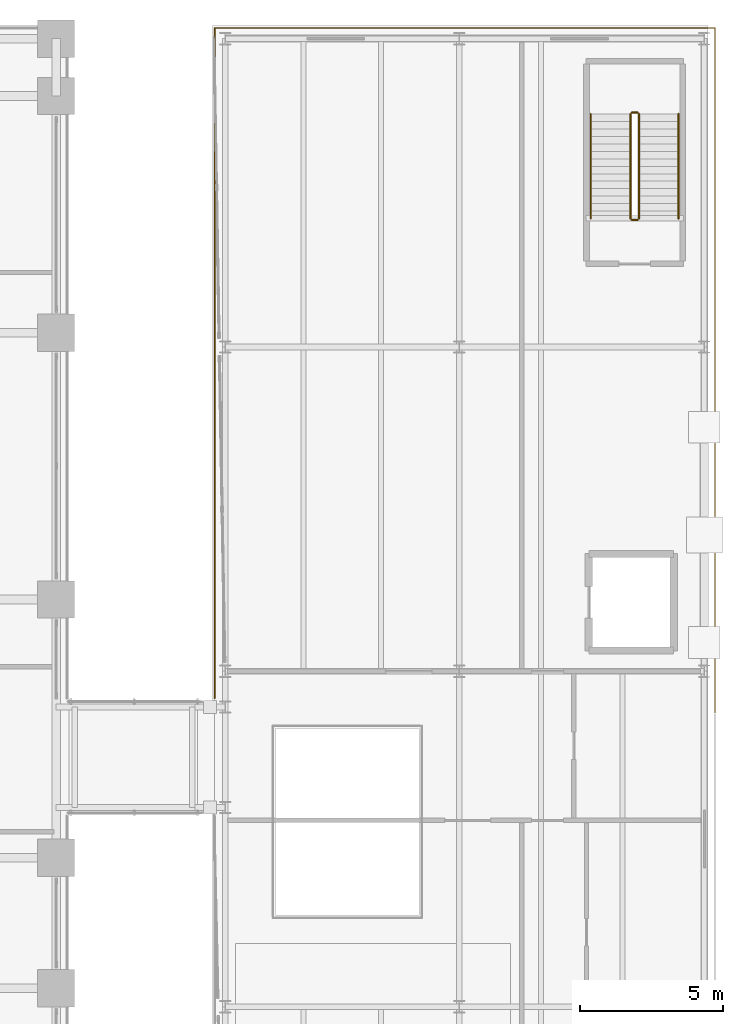
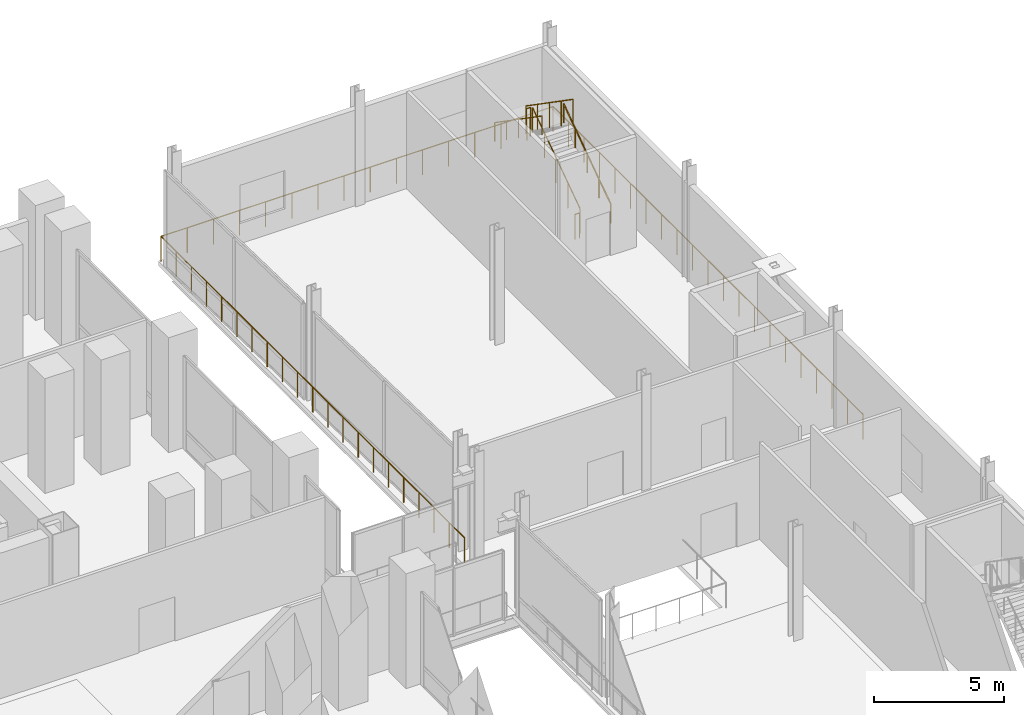
# One storey, part 31 of 31: 7 railings.
"""IFC4 building model written with IfcOpenShell, lengths in metres."""

from ifc_helpers import new_model, si_unit, direction, frame, origin, origin_2d, place, context, subcontext, project, spatial, circle, extrude, material, layer, layer_set, type_object, element, save


model = new_model("IFC4")

# Units and contexts
model_context = context("Model", 3, precision=1e-05, world=origin(), true_north=direction((0.0, 1.0)))
body_context = subcontext(model_context, "Body", "Model", "MODEL_VIEW")
ifc_project = project(units=[si_unit("LENGTHUNIT", "METRE"), si_unit("AREAUNIT", "SQUARE_METRE"), si_unit("VOLUMEUNIT", "CUBIC_METRE"), si_unit("PLANEANGLEUNIT", "RADIAN"), si_unit("MASSUNIT", "GRAM", prefix="KILO")], contexts=[model_context])

# Site, building, storey
site_placement = place(None, origin())
site = spatial("IfcSite", under=ifc_project, at=site_placement, CompositionType="ELEMENT")
building_placement = place(site_placement, origin())
building = spatial("IfcBuilding", under=site, at=building_placement, Name="Noeulbin Bourse Tower", CompositionType="ELEMENT")
storey_placement = place(building_placement, frame((0.0, 0.0, 11.199951171875)))
storey = spatial("IfcBuildingStorey", under=building, at=storey_placement, Name="L03", CompositionType="ELEMENT", Elevation=11.199951171875)

# Railings
ifc_material_1 = material(Name="Painted Tubular Steel S355", Category="steel")
ifc_layer_1 = layer(ifc_material_1, 0.048095703125)
ifc_layer_set_1 = layer_set([ifc_layer_1], Name="Painted Tubular Steel S355")
railing_type_1 = type_object("IfcRailingType", Name="RLG-STR-GRD", PredefinedType="GUARDRAIL", material=ifc_layer_set_1)
railing_1_placement = place(storey_placement, frame((74.8701171875, 42.280029296875, 0.179931640625)))
element("IfcRailing", 1, at=railing_1_placement, inside=storey, type_object=railing_type_1, Name="L03 MST-2 stair guard 1", PredefinedType="GUARDRAIL", context=body_context, shape_type="SweptSolid", body=[
    extrude(circle(Radius=0.02392578125, at=origin_2d()), frame((0.0, 0.0, 1.17578125), z_axis=(0.0, 0.822182265111, 0.569224316888), x_axis=(-1.0, 0.0, 0.0)), (0.0, 0.0, 1.0), 4.427001953125),
    extrude(circle(Radius=0.02099609375, at=origin_2d()), origin(), (0.0, 0.0, 1.0), 1.15185546875),
    extrude(circle(Radius=0.02099609375, at=origin_2d()), frame((0.0, 0.909912109375, 0.6298828125)), (0.0, 0.0, 1.0), 1.15185546875),
    extrude(circle(Radius=0.02099609375, at=origin_2d()), frame((0.0, 1.81982421875, 1.260009765625)), (0.0, 0.0, 1.0), 1.15185546875),
    extrude(circle(Radius=0.02099609375, at=origin_2d()), frame((0.0, 2.72998046875, 1.89013671875)), (0.0, 0.0, 1.0), 1.15185546875),
    extrude(circle(Radius=0.02099609375, at=origin_2d()), frame((0.0, 3.639892578125, 2.52001953125)), (0.0, 0.0, 1.0), 1.15185546875),
])
railing_2_placement = place(storey_placement, frame((74.820068359375, 45.969970703125, 2.699951171875)))
element("IfcRailing", 2, at=railing_2_placement, inside=storey, type_object=railing_type_1, Name="L03 MST-2 stair guard 2", PredefinedType="GUARDRAIL", context=body_context, shape_type="SweptSolid", body=[
    extrude(circle(Radius=0.02392578125, at=origin_2d()), frame((0.0, 0.0, 1.17578125), z_axis=(-1.0, 0.0, 0.0), x_axis=(0.0, -1.0, 0.0)), (0.0, 0.0, 1.0), 0.199951171875),
    extrude(circle(Radius=0.02099609375, at=origin_2d()), origin(), (0.0, 0.0, 1.0), 1.15185546875),
    extrude(circle(Radius=0.02099609375, at=origin_2d()), frame((-0.199951171875, 0.0, 0.0)), (0.0, 0.0, 1.0), 1.15185546875),
])
railing_3_placement = place(storey_placement, frame((74.570068359375, 45.919921875, 2.880126953125)))
element("IfcRailing", 3, at=railing_3_placement, inside=storey, type_object=railing_type_1, Name="L03 MST-2 stair guard 3", PredefinedType="GUARDRAIL", context=body_context, shape_type="SweptSolid", body=[
    extrude(circle(Radius=0.02392578125, at=origin_2d()), frame((0.0, 0.0, 1.17578125), z_axis=(0.0, -0.822182265111, 0.569224316888), x_axis=(1.0, 0.0, 0.0)), (0.0, 0.0, 1.0), 4.427001953125),
    extrude(circle(Radius=0.02099609375, at=origin_2d()), origin(), (0.0, 0.0, 1.0), 1.15185546875),
    extrude(circle(Radius=0.02099609375, at=origin_2d()), frame((0.0, -0.909912109375, 0.6298828125)), (0.0, 0.0, 1.0), 1.15185546875),
    extrude(circle(Radius=0.02099609375, at=origin_2d()), frame((0.0, -1.81982421875, 1.260009765625)), (0.0, 0.0, 1.0), 1.15185546875),
    extrude(circle(Radius=0.02099609375, at=origin_2d()), frame((0.0, -2.72998046875, 1.89013671875)), (0.0, 0.0, 1.0), 1.15185546875),
    extrude(circle(Radius=0.02099609375, at=origin_2d()), frame((0.0, -3.639892578125, 2.52001953125)), (0.0, 0.0, 1.0), 1.15185546875),
])
railing_4_placement = place(storey_placement, frame((74.820068359375, 42.22998046875, 0.0)))
element("IfcRailing", 4, at=railing_4_placement, inside=storey, type_object=railing_type_1, Name="L03 MST-2 stair guard 4", PredefinedType="GUARDRAIL", context=body_context, shape_type="SweptSolid", body=[
    extrude(circle(Radius=0.02392578125, at=origin_2d()), frame((0.0, 0.0, 1.17578125), z_axis=(-1.0, 0.0, 0.0), x_axis=(0.0, -1.0, 0.0)), (0.0, 0.0, 1.0), 0.199951171875),
    extrude(circle(Radius=0.02099609375, at=origin_2d()), origin(), (0.0, 0.0, 1.0), 1.15185546875),
    extrude(circle(Radius=0.02099609375, at=origin_2d()), frame((-0.199951171875, 0.0, 0.0)), (0.0, 0.0, 1.0), 1.15185546875),
])
ifc_material_2 = material(Name="Brushed Stainless Steel 316", Category="steel")
ifc_layer_2 = layer(ifc_material_2, 0.048095703125)
ifc_layer_set_2 = layer_set([ifc_layer_2], Name="Brushed Stainless Steel 316")
railing_type_2 = type_object("IfcRailingType", Name="RLG-STR-HND", PredefinedType="HANDRAIL", material=ifc_layer_set_2)
railing_5_placement = place(storey_placement, frame((76.25, 42.280029296875, 0.179931640625)))
element("IfcRailing", 5, at=railing_5_placement, inside=storey, type_object=railing_type_2, Name="L03 MST-2 stair handrail 1", PredefinedType="HANDRAIL", context=body_context, shape_type="SweptSolid", body=[
    extrude(circle(Radius=0.02392578125, at=origin_2d()), frame((0.0, 0.0, 0.8759765625), z_axis=(0.0, 0.822182265111, 0.569224316888), x_axis=(-1.0, 0.0, 0.0)), (0.0, 0.0, 1.0), 4.427001953125),
    extrude(circle(Radius=0.02099609375, at=origin_2d()), origin(), (0.0, 0.0, 1.0), 0.851806640625),
    extrude(circle(Radius=0.02099609375, at=origin_2d()), frame((0.0, 0.909912109375, 0.6298828125)), (0.0, 0.0, 1.0), 0.851806640625),
    extrude(circle(Radius=0.02099609375, at=origin_2d()), frame((0.0, 1.81982421875, 1.260009765625)), (0.0, 0.0, 1.0), 0.851806640625),
    extrude(circle(Radius=0.02099609375, at=origin_2d()), frame((0.0, 2.72998046875, 1.89013671875)), (0.0, 0.0, 1.0), 0.851806640625),
    extrude(circle(Radius=0.02099609375, at=origin_2d()), frame((0.0, 3.639892578125, 2.52001953125)), (0.0, 0.0, 1.0), 0.851806640625),
])
railing_6_placement = place(storey_placement, frame((73.18994140625, 45.919921875, 2.880126953125)))
element("IfcRailing", 6, at=railing_6_placement, inside=storey, type_object=railing_type_2, Name="L03 MST-2 stair handrail 2", PredefinedType="HANDRAIL", context=body_context, shape_type="SweptSolid", body=[
    extrude(circle(Radius=0.02392578125, at=origin_2d()), frame((0.0, 0.0, 0.8759765625), z_axis=(0.0, -0.822182265111, 0.569224316888), x_axis=(1.0, 0.0, 0.0)), (0.0, 0.0, 1.0), 4.427001953125),
    extrude(circle(Radius=0.02099609375, at=origin_2d()), origin(), (0.0, 0.0, 1.0), 0.851806640625),
    extrude(circle(Radius=0.02099609375, at=origin_2d()), frame((0.0, -0.909912109375, 0.6298828125)), (0.0, 0.0, 1.0), 0.851806640625),
    extrude(circle(Radius=0.02099609375, at=origin_2d()), frame((0.0, -1.81982421875, 1.260009765625)), (0.0, 0.0, 1.0), 0.851806640625),
    extrude(circle(Radius=0.02099609375, at=origin_2d()), frame((0.0, -2.72998046875, 1.89013671875)), (0.0, 0.0, 1.0), 0.851806640625),
    extrude(circle(Radius=0.02099609375, at=origin_2d()), frame((0.0, -3.639892578125, 2.52001953125)), (0.0, 0.0, 1.0), 0.851806640625),
])
ifc_material_3 = material(Name="Stainless Steel 316 Post and Rail", Category="steel")
ifc_layer_3 = layer(ifc_material_3, 0.06005859375)
ifc_layer_set_3 = layer_set([ifc_layer_3], Name="Stainless Steel 316 Post and Rail")
railing_type_3 = type_object("IfcRailingType", Name="RLG-TER-1200", PredefinedType="GUARDRAIL", material=ifc_layer_set_3)
railing_7_placement = place(storey_placement, frame((77.52001953125, 25.06005859375, 0.0)))
element("IfcRailing", 7, at=railing_7_placement, inside=storey, type_object=railing_type_3, Name="Market Perimeter Edge Guard L03-2", PredefinedType="GUARDRAIL", context=body_context, shape_type="SweptSolid", body=[
    extrude(circle(Radius=0.02392578125, at=origin_2d()), frame((0.0, 0.0, 1.17578125), z_axis=(0.0, 1.0, 0.0), x_axis=(-1.0, 0.0, 0.0)), (0.0, 0.0, 1.0), 23.85986328125),
    extrude(circle(Radius=0.02392578125, at=origin_2d()), frame((0.0, 23.85986328125, 1.17578125), z_axis=(-1.0, 0.0, 0.0), x_axis=(0.0, -1.0, 0.0)), (0.0, 0.0, 1.0), 17.43994140625),
    extrude(circle(Radius=0.02392578125, at=origin_2d()), frame((-17.43994140625, 23.85986328125, 1.17578125), z_axis=(0.0, -1.0, 0.0), x_axis=(1.0, 0.0, 0.0)), (0.0, 0.0, 1.0), 23.369873046875),
    extrude(circle(Radius=0.02099609375, at=origin_2d()), origin(), (0.0, 0.0, 1.0), 1.15185546875),
    extrude(circle(Radius=0.02099609375, at=origin_2d()), frame((0.0, 1.19287109375, 0.0)), (0.0, 0.0, 1.0), 1.15185546875),
    extrude(circle(Radius=0.02099609375, at=origin_2d()), frame((0.0, 2.385986328125, 0.0)), (0.0, 0.0, 1.0), 1.15185546875),
    extrude(circle(Radius=0.02099609375, at=origin_2d()), frame((0.0, 3.5791015625, 0.0)), (0.0, 0.0, 1.0), 1.15185546875),
    extrude(circle(Radius=0.02099609375, at=origin_2d()), frame((0.0, 4.77197265625, 0.0)), (0.0, 0.0, 1.0), 1.15185546875),
    extrude(circle(Radius=0.02099609375, at=origin_2d()), frame((0.0, 5.96484375, 0.0)), (0.0, 0.0, 1.0), 1.15185546875),
    extrude(circle(Radius=0.02099609375, at=origin_2d()), frame((0.0, 7.157958984375, 0.0)), (0.0, 0.0, 1.0), 1.15185546875),
    extrude(circle(Radius=0.02099609375, at=origin_2d()), frame((0.0, 8.35107421875, 0.0)), (0.0, 0.0, 1.0), 1.15185546875),
    extrude(circle(Radius=0.02099609375, at=origin_2d()), frame((0.0, 9.5439453125, 0.0)), (0.0, 0.0, 1.0), 1.15185546875),
    extrude(circle(Radius=0.02099609375, at=origin_2d()), frame((0.0, 10.73681640625, 0.0)), (0.0, 0.0, 1.0), 1.15185546875),
    extrude(circle(Radius=0.02099609375, at=origin_2d()), frame((0.0, 11.929931640625, 0.0)), (0.0, 0.0, 1.0), 1.15185546875),
    extrude(circle(Radius=0.02099609375, at=origin_2d()), frame((0.0, 13.123046875, 0.0)), (0.0, 0.0, 1.0), 1.15185546875),
    extrude(circle(Radius=0.02099609375, at=origin_2d()), frame((0.0, 14.31591796875, 0.0)), (0.0, 0.0, 1.0), 1.15185546875),
    extrude(circle(Radius=0.02099609375, at=origin_2d()), frame((0.0, 15.5087890625, 0.0)), (0.0, 0.0, 1.0), 1.15185546875),
    extrude(circle(Radius=0.02099609375, at=origin_2d()), frame((0.0, 16.701904296875, 0.0)), (0.0, 0.0, 1.0), 1.15185546875),
    extrude(circle(Radius=0.02099609375, at=origin_2d()), frame((0.0, 17.89501953125, 0.0)), (0.0, 0.0, 1.0), 1.15185546875),
    extrude(circle(Radius=0.02099609375, at=origin_2d()), frame((0.0, 19.087890625, 0.0)), (0.0, 0.0, 1.0), 1.15185546875),
    extrude(circle(Radius=0.02099609375, at=origin_2d()), frame((0.0, 20.28076171875, 0.0)), (0.0, 0.0, 1.0), 1.15185546875),
    extrude(circle(Radius=0.02099609375, at=origin_2d()), frame((0.0, 21.473876953125, 0.0)), (0.0, 0.0, 1.0), 1.15185546875),
    extrude(circle(Radius=0.02099609375, at=origin_2d()), frame((0.0, 22.6669921875, 0.0)), (0.0, 0.0, 1.0), 1.15185546875),
    extrude(circle(Radius=0.02099609375, at=origin_2d()), frame((0.0, 23.85986328125, 0.0)), (0.0, 0.0, 1.0), 1.15185546875),
    extrude(circle(Radius=0.02099609375, at=origin_2d()), frame((-1.16259765625, 23.85986328125, 0.0)), (0.0, 0.0, 1.0), 1.15185546875),
    extrude(circle(Radius=0.02099609375, at=origin_2d()), frame((-2.325439453125, 23.85986328125, 0.0)), (0.0, 0.0, 1.0), 1.15185546875),
    extrude(circle(Radius=0.02099609375, at=origin_2d()), frame((-3.488037109375, 23.85986328125, 0.0)), (0.0, 0.0, 1.0), 1.15185546875),
    extrude(circle(Radius=0.02099609375, at=origin_2d()), frame((-4.650634765625, 23.85986328125, 0.0)), (0.0, 0.0, 1.0), 1.15185546875),
    extrude(circle(Radius=0.02099609375, at=origin_2d()), frame((-5.813232421875, 23.85986328125, 0.0)), (0.0, 0.0, 1.0), 1.15185546875),
    extrude(circle(Radius=0.02099609375, at=origin_2d()), frame((-6.97607421875, 23.85986328125, 0.0)), (0.0, 0.0, 1.0), 1.15185546875),
    extrude(circle(Radius=0.02099609375, at=origin_2d()), frame((-8.138671875, 23.85986328125, 0.0)), (0.0, 0.0, 1.0), 1.15185546875),
    extrude(circle(Radius=0.02099609375, at=origin_2d()), frame((-9.30126953125, 23.85986328125, 0.0)), (0.0, 0.0, 1.0), 1.15185546875),
    extrude(circle(Radius=0.02099609375, at=origin_2d()), frame((-10.4638671875, 23.85986328125, 0.0)), (0.0, 0.0, 1.0), 1.15185546875),
    extrude(circle(Radius=0.02099609375, at=origin_2d()), frame((-11.626708984375, 23.85986328125, 0.0)), (0.0, 0.0, 1.0), 1.15185546875),
    extrude(circle(Radius=0.02099609375, at=origin_2d()), frame((-12.789306640625, 23.85986328125, 0.0)), (0.0, 0.0, 1.0), 1.15185546875),
    extrude(circle(Radius=0.02099609375, at=origin_2d()), frame((-13.951904296875, 23.85986328125, 0.0)), (0.0, 0.0, 1.0), 1.15185546875),
    extrude(circle(Radius=0.02099609375, at=origin_2d()), frame((-15.114501953125, 23.85986328125, 0.0)), (0.0, 0.0, 1.0), 1.15185546875),
    extrude(circle(Radius=0.02099609375, at=origin_2d()), frame((-16.27734375, 23.85986328125, 0.0)), (0.0, 0.0, 1.0), 1.15185546875),
    extrude(circle(Radius=0.02099609375, at=origin_2d()), frame((-17.43994140625, 23.85986328125, 0.0)), (0.0, 0.0, 1.0), 1.15185546875),
    extrude(circle(Radius=0.02099609375, at=origin_2d()), frame((-17.43994140625, 22.69140625, 0.0)), (0.0, 0.0, 1.0), 1.15185546875),
    extrude(circle(Radius=0.02099609375, at=origin_2d()), frame((-17.43994140625, 21.52294921875, 0.0)), (0.0, 0.0, 1.0), 1.15185546875),
    extrude(circle(Radius=0.02099609375, at=origin_2d()), frame((-17.43994140625, 20.3544921875, 0.0)), (0.0, 0.0, 1.0), 1.15185546875),
    extrude(circle(Radius=0.02099609375, at=origin_2d()), frame((-17.43994140625, 19.185791015625, 0.0)), (0.0, 0.0, 1.0), 1.15185546875),
    extrude(circle(Radius=0.02099609375, at=origin_2d()), frame((-17.43994140625, 18.017333984375, 0.0)), (0.0, 0.0, 1.0), 1.15185546875),
    extrude(circle(Radius=0.02099609375, at=origin_2d()), frame((-17.43994140625, 16.848876953125, 0.0)), (0.0, 0.0, 1.0), 1.15185546875),
    extrude(circle(Radius=0.02099609375, at=origin_2d()), frame((-17.43994140625, 15.680419921875, 0.0)), (0.0, 0.0, 1.0), 1.15185546875),
    extrude(circle(Radius=0.02099609375, at=origin_2d()), frame((-17.43994140625, 14.511962890625, 0.0)), (0.0, 0.0, 1.0), 1.15185546875),
    extrude(circle(Radius=0.02099609375, at=origin_2d()), frame((-17.43994140625, 13.343505859375, 0.0)), (0.0, 0.0, 1.0), 1.15185546875),
    extrude(circle(Radius=0.02099609375, at=origin_2d()), frame((-17.43994140625, 12.1748046875, 0.0)), (0.0, 0.0, 1.0), 1.15185546875),
    extrude(circle(Radius=0.02099609375, at=origin_2d()), frame((-17.43994140625, 11.00634765625, 0.0)), (0.0, 0.0, 1.0), 1.15185546875),
    extrude(circle(Radius=0.02099609375, at=origin_2d()), frame((-17.43994140625, 9.837890625, 0.0)), (0.0, 0.0, 1.0), 1.15185546875),
    extrude(circle(Radius=0.02099609375, at=origin_2d()), frame((-17.43994140625, 8.66943359375, 0.0)), (0.0, 0.0, 1.0), 1.15185546875),
    extrude(circle(Radius=0.02099609375, at=origin_2d()), frame((-17.43994140625, 7.5009765625, 0.0)), (0.0, 0.0, 1.0), 1.15185546875),
    extrude(circle(Radius=0.02099609375, at=origin_2d()), frame((-17.43994140625, 6.33251953125, 0.0)), (0.0, 0.0, 1.0), 1.15185546875),
    extrude(circle(Radius=0.02099609375, at=origin_2d()), frame((-17.43994140625, 5.1640625, 0.0)), (0.0, 0.0, 1.0), 1.15185546875),
    extrude(circle(Radius=0.02099609375, at=origin_2d()), frame((-17.43994140625, 3.995361328125, 0.0)), (0.0, 0.0, 1.0), 1.15185546875),
    extrude(circle(Radius=0.02099609375, at=origin_2d()), frame((-17.43994140625, 2.826904296875, 0.0)), (0.0, 0.0, 1.0), 1.15185546875),
    extrude(circle(Radius=0.02099609375, at=origin_2d()), frame((-17.43994140625, 1.658447265625, 0.0)), (0.0, 0.0, 1.0), 1.15185546875),
    extrude(circle(Radius=0.02099609375, at=origin_2d()), frame((-17.43994140625, 0.489990234375, 0.0)), (0.0, 0.0, 1.0), 1.15185546875),
])

save(model, "model.ifc")
